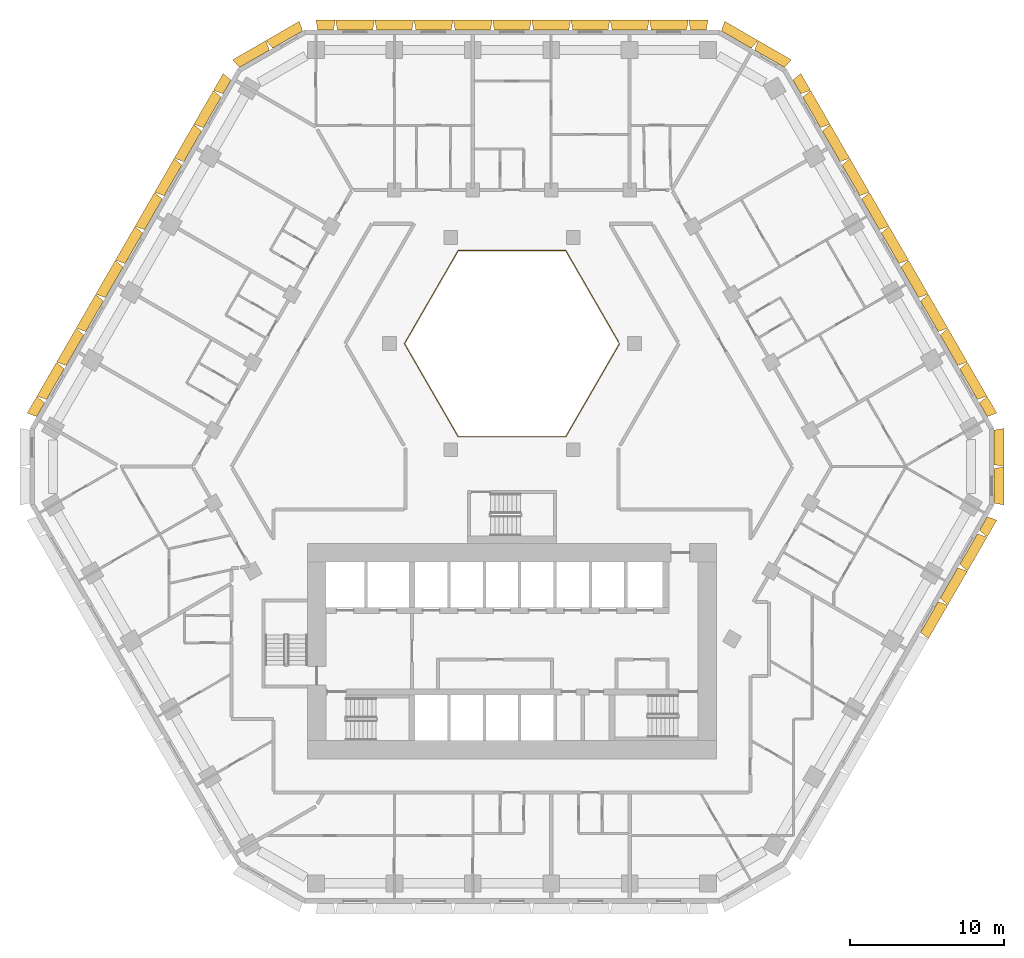
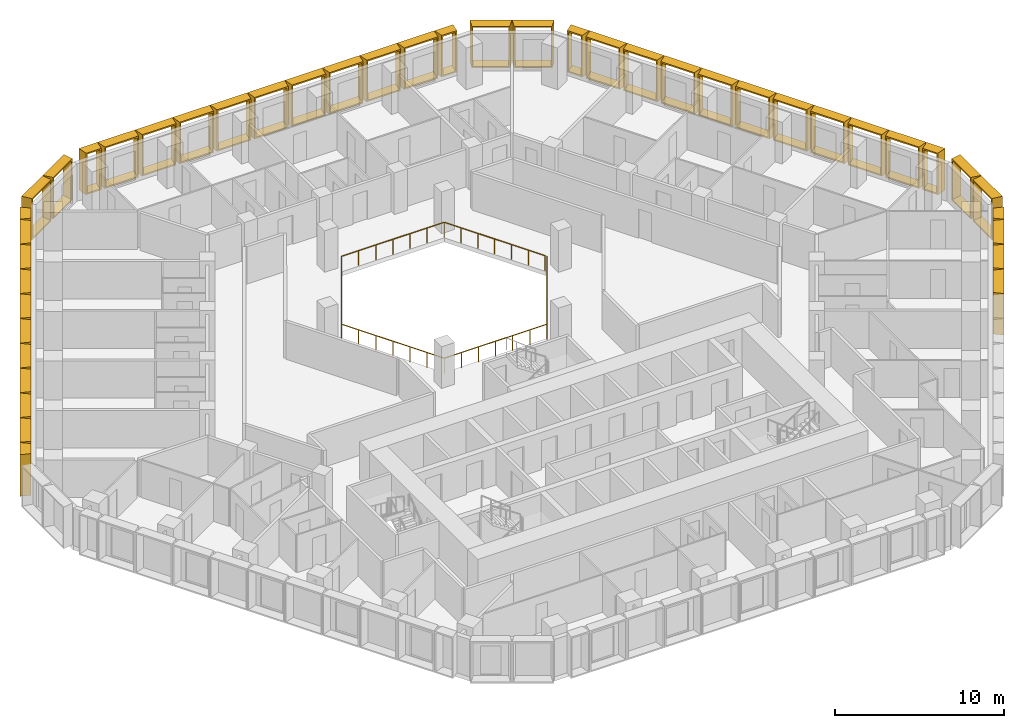
# One storey, part 16 of 16: 43 shading devices, 1 railing.
"""IFC4 building model written with IfcOpenShell, lengths in metres."""

from ifc_helpers import new_model, entity, si_unit, direction, frame, origin, origin_2d, place, context, subcontext, project, spatial, rectangle, extrude, source, transform, mapped, material, type_object, type_shapes, element, save


model = new_model("IFC4")

# Units and contexts
model_context = context("Model", 3, precision=1e-05, world=origin(), true_north=direction((0.0, 1.0)))
body_context = subcontext(model_context, "Body", "Model", "MODEL_VIEW")
ifc_project = project(units=[si_unit("LENGTHUNIT", "METRE"), si_unit("AREAUNIT", "SQUARE_METRE"), si_unit("VOLUMEUNIT", "CUBIC_METRE"), si_unit("PLANEANGLEUNIT", "RADIAN"), si_unit("MASSUNIT", "GRAM", prefix="KILO")], contexts=[model_context])

# Site, building, storey
site_placement = place(None, origin())
site = spatial("IfcSite", under=ifc_project, at=site_placement, CompositionType="ELEMENT")
building_placement = place(site_placement, origin())
building = spatial("IfcBuilding", under=site, at=building_placement, Name="Beryl Residences", CompositionType="ELEMENT")
storey_placement = place(building_placement, frame((0.0, 0.0, 26.39990234375)))
storey = spatial("IfcBuildingStorey", under=building, at=storey_placement, Name="L07", CompositionType="ELEMENT", Elevation=26.39990234375)

# Railing
ifc_material_1 = material(Name="Stainless steel balustrade with glass infill", Category="steel")
railing_type = type_object("IfcRailingType", Name="EG1 edge guard 1100 mm", PredefinedType="GUARDRAIL", material=ifc_material_1)
railing_placement = place(storey_placement, frame((6.9970703125, 8.0, 0.0)))
element("IfcRailing", 1, at=railing_placement, inside=storey, type_object=railing_type, Name="L07 atrium guard", PredefinedType="GUARDRAIL", context=body_context, shape_type="SweptSolid", body=[
    extrude(rectangle(XDim=0.048095703125, YDim=0.048095703125, at=origin_2d()), frame((0.0, 0.0, 1.076171875), z_axis=(-0.499921796684, -0.866070549782, 0.0), x_axis=(0.866070549782, -0.499921796684, 0.0)), (0.0, 0.0, 1.0), 6.9970703125),
    extrude(rectangle(XDim=0.048095703125, YDim=0.048095703125, at=origin_2d()), frame((-3.498046875, -6.06005859375, 1.076171875), z_axis=(-1.0, 0.0, 0.0), x_axis=(0.0, -1.0, 0.0)), (0.0, 0.0, 1.0), 6.998046875),
    extrude(rectangle(XDim=0.048095703125, YDim=0.048095703125, at=origin_2d()), frame((-10.49609375, -6.06005859375, 1.076171875), z_axis=(-0.499921796684, 0.866070549782, 0.0), x_axis=(-0.866070549782, -0.499921796684, 0.0)), (0.0, 0.0, 1.0), 6.9970703125),
    extrude(rectangle(XDim=0.048095703125, YDim=0.048095703125, at=origin_2d()), frame((-13.994140625, 0.0, 1.076171875), z_axis=(0.499921796684, 0.866070549782, 0.0), x_axis=(-0.866070549782, 0.499921796684, 0.0)), (0.0, 0.0, 1.0), 6.9970703125),
    extrude(rectangle(XDim=0.048095703125, YDim=0.048095703125, at=origin_2d()), frame((-10.49609375, 6.06005859375, 1.076171875), z_axis=(1.0, 0.0, 0.0), x_axis=(0.0, 1.0, 0.0)), (0.0, 0.0, 1.0), 6.998046875),
    extrude(rectangle(XDim=0.048095703125, YDim=0.048095703125, at=origin_2d()), frame((-3.498046875, 6.06005859375, 1.076171875), z_axis=(0.499919131929, -0.866072087953, 0.0), x_axis=(0.866072087953, 0.499919131929, 0.0)), (0.0, 0.0, 1.0), 6.877197265625),
    extrude(rectangle(XDim=0.0419921875, YDim=0.0419921875, at=origin_2d()), origin(), (0.0, 0.0, 1.0), 1.052001953125),
    extrude(rectangle(XDim=0.0419921875, YDim=0.0419921875, at=origin_2d()), frame((-0.5830078125, -1.010009765625, 0.0)), (0.0, 0.0, 1.0), 1.052001953125),
    extrude(rectangle(XDim=0.0419921875, YDim=0.0419921875, at=origin_2d()), frame((-1.166015625, -2.02001953125, 0.0)), (0.0, 0.0, 1.0), 1.052001953125),
    extrude(rectangle(XDim=0.0419921875, YDim=0.0419921875, at=origin_2d()), frame((-1.7490234375, -3.030029296875, 0.0)), (0.0, 0.0, 1.0), 1.052001953125),
    extrude(rectangle(XDim=0.0419921875, YDim=0.0419921875, at=origin_2d()), frame((-2.33203125, -4.0400390625, 0.0)), (0.0, 0.0, 1.0), 1.052001953125),
    extrude(rectangle(XDim=0.0419921875, YDim=0.0419921875, at=origin_2d()), frame((-2.9150390625, -5.050048828125, 0.0)), (0.0, 0.0, 1.0), 1.052001953125),
    extrude(rectangle(XDim=0.0419921875, YDim=0.0419921875, at=origin_2d()), frame((-3.498046875, -6.06005859375, 0.0)), (0.0, 0.0, 1.0), 1.052001953125),
    extrude(rectangle(XDim=0.0419921875, YDim=0.0419921875, at=origin_2d()), frame((-4.664306640625, -6.06005859375, 0.0)), (0.0, 0.0, 1.0), 1.052001953125),
    extrude(rectangle(XDim=0.0419921875, YDim=0.0419921875, at=origin_2d()), frame((-5.830810546875, -6.06005859375, 0.0)), (0.0, 0.0, 1.0), 1.052001953125),
    extrude(rectangle(XDim=0.0419921875, YDim=0.0419921875, at=origin_2d()), frame((-6.9970703125, -6.06005859375, 0.0)), (0.0, 0.0, 1.0), 1.052001953125),
    extrude(rectangle(XDim=0.0419921875, YDim=0.0419921875, at=origin_2d()), frame((-8.163330078125, -6.06005859375, 0.0)), (0.0, 0.0, 1.0), 1.052001953125),
    extrude(rectangle(XDim=0.0419921875, YDim=0.0419921875, at=origin_2d()), frame((-9.329833984375, -6.06005859375, 0.0)), (0.0, 0.0, 1.0), 1.052001953125),
    extrude(rectangle(XDim=0.0419921875, YDim=0.0419921875, at=origin_2d()), frame((-10.49609375, -6.06005859375, 0.0)), (0.0, 0.0, 1.0), 1.052001953125),
    extrude(rectangle(XDim=0.0419921875, YDim=0.0419921875, at=origin_2d()), frame((-11.0791015625, -5.050048828125, 0.0)), (0.0, 0.0, 1.0), 1.052001953125),
    extrude(rectangle(XDim=0.0419921875, YDim=0.0419921875, at=origin_2d()), frame((-11.662109375, -4.0400390625, 0.0)), (0.0, 0.0, 1.0), 1.052001953125),
    extrude(rectangle(XDim=0.0419921875, YDim=0.0419921875, at=origin_2d()), frame((-12.2451171875, -3.030029296875, 0.0)), (0.0, 0.0, 1.0), 1.052001953125),
    extrude(rectangle(XDim=0.0419921875, YDim=0.0419921875, at=origin_2d()), frame((-12.828125, -2.02001953125, 0.0)), (0.0, 0.0, 1.0), 1.052001953125),
    extrude(rectangle(XDim=0.0419921875, YDim=0.0419921875, at=origin_2d()), frame((-13.4111328125, -1.010009765625, 0.0)), (0.0, 0.0, 1.0), 1.052001953125),
    extrude(rectangle(XDim=0.0419921875, YDim=0.0419921875, at=origin_2d()), frame((-13.994140625, 0.0, 0.0)), (0.0, 0.0, 1.0), 1.052001953125),
    extrude(rectangle(XDim=0.0419921875, YDim=0.0419921875, at=origin_2d()), frame((-13.4111328125, 1.010009765625, 0.0)), (0.0, 0.0, 1.0), 1.052001953125),
    extrude(rectangle(XDim=0.0419921875, YDim=0.0419921875, at=origin_2d()), frame((-12.828125, 2.02001953125, 0.0)), (0.0, 0.0, 1.0), 1.052001953125),
    extrude(rectangle(XDim=0.0419921875, YDim=0.0419921875, at=origin_2d()), frame((-12.2451171875, 3.030029296875, 0.0)), (0.0, 0.0, 1.0), 1.052001953125),
    extrude(rectangle(XDim=0.0419921875, YDim=0.0419921875, at=origin_2d()), frame((-11.662109375, 4.0400390625, 0.0)), (0.0, 0.0, 1.0), 1.052001953125),
    extrude(rectangle(XDim=0.0419921875, YDim=0.0419921875, at=origin_2d()), frame((-11.0791015625, 5.050048828125, 0.0)), (0.0, 0.0, 1.0), 1.052001953125),
    extrude(rectangle(XDim=0.0419921875, YDim=0.0419921875, at=origin_2d()), frame((-10.49609375, 6.06005859375, 0.0)), (0.0, 0.0, 1.0), 1.052001953125),
    extrude(rectangle(XDim=0.0419921875, YDim=0.0419921875, at=origin_2d()), frame((-9.329833984375, 6.06005859375, 0.0)), (0.0, 0.0, 1.0), 1.052001953125),
    extrude(rectangle(XDim=0.0419921875, YDim=0.0419921875, at=origin_2d()), frame((-8.163330078125, 6.06005859375, 0.0)), (0.0, 0.0, 1.0), 1.052001953125),
    extrude(rectangle(XDim=0.0419921875, YDim=0.0419921875, at=origin_2d()), frame((-6.9970703125, 6.06005859375, 0.0)), (0.0, 0.0, 1.0), 1.052001953125),
    extrude(rectangle(XDim=0.0419921875, YDim=0.0419921875, at=origin_2d()), frame((-5.830810546875, 6.06005859375, 0.0)), (0.0, 0.0, 1.0), 1.052001953125),
    extrude(rectangle(XDim=0.0419921875, YDim=0.0419921875, at=origin_2d()), frame((-4.664306640625, 6.06005859375, 0.0)), (0.0, 0.0, 1.0), 1.052001953125),
    extrude(rectangle(XDim=0.0419921875, YDim=0.0419921875, at=origin_2d()), frame((-3.498046875, 6.06005859375, 0.0)), (0.0, 0.0, 1.0), 1.052001953125),
    extrude(rectangle(XDim=0.0419921875, YDim=0.0419921875, at=origin_2d()), frame((-2.925048828125, 5.0673828125, 0.0)), (0.0, 0.0, 1.0), 1.052001953125),
    extrude(rectangle(XDim=0.0419921875, YDim=0.0419921875, at=origin_2d()), frame((-2.35205078125, 4.07470703125, 0.0)), (0.0, 0.0, 1.0), 1.052001953125),
    extrude(rectangle(XDim=0.0419921875, YDim=0.0419921875, at=origin_2d()), frame((-1.779052734375, 3.08203125, 0.0)), (0.0, 0.0, 1.0), 1.052001953125),
    extrude(rectangle(XDim=0.0419921875, YDim=0.0419921875, at=origin_2d()), frame((-1.2060546875, 2.08935546875, 0.0)), (0.0, 0.0, 1.0), 1.052001953125),
    extrude(rectangle(XDim=0.0419921875, YDim=0.0419921875, at=origin_2d()), frame((-0.633056640625, 1.0966796875, 0.0)), (0.0, 0.0, 1.0), 1.052001953125),
    extrude(rectangle(XDim=0.0419921875, YDim=0.0419921875, at=origin_2d()), frame((-0.06005859375, 0.10400390625, 0.0)), (0.0, 0.0, 1.0), 1.052001953125),
])

# Shading devices
ifc_material_2 = material(Name="Aluminium pale anodised", Category="aluminium")
shading_device_type_1 = type_object("IfcShadingDeviceType", Name="FR128-65A OUTER SKIN frame 650 mm deep, splay 10/10 deg, 1280 x 3000 mm cell", PredefinedType="USERDEFINED", material=ifc_material_2)
cartesian_point_1 = entity("IfcCartesianPoint", [-0.514892578125, 0.0])
cartesian_point_2 = entity("IfcCartesianPoint", [-0.433837890625, 0.10009765625])
cartesian_point_3 = entity("IfcCartesianPoint", [-0.629638671875, 0.0])
cartesian_point_4 = entity("IfcCartesianPoint", [-0.54833984375, 0.10009765625])
shared_shape_1 = source(origin(), body_context, "Body", "SweptSolid", [
    entity("IfcExtrudedAreaSolidTapered", entity("IfcArbitraryProfileDefWithVoids", "AREA", None, entity("IfcPolyline", [cartesian_point_1, entity("IfcCartesianPoint", [0.514892578125, 0.0]), entity("IfcCartesianPoint", [0.514892578125, 3.0]), entity("IfcCartesianPoint", [-0.514892578125, 3.0]), cartesian_point_1]), [entity("IfcPolyline", [cartesian_point_2, entity("IfcCartesianPoint", [0.433837890625, 0.10009765625]), entity("IfcCartesianPoint", [0.433837890625, 2.89990234375]), entity("IfcCartesianPoint", [-0.433837890625, 2.89990234375]), cartesian_point_2])]), entity("IfcAxis2Placement3D", entity("IfcCartesianPoint", [0.0, 0.0, 0.0]), entity("IfcDirection", [0.0, 1.0, 0.0]), entity("IfcDirection", [-1.0, 0.0, 0.0])), entity("IfcDirection", [0.0, 0.0, 1.0]), 0.64990234375, entity("IfcArbitraryProfileDefWithVoids", "AREA", None, entity("IfcPolyline", [cartesian_point_3, entity("IfcCartesianPoint", [0.629638671875, 0.0]), entity("IfcCartesianPoint", [0.629638671875, 3.0]), entity("IfcCartesianPoint", [-0.629638671875, 3.0]), cartesian_point_3]), [entity("IfcPolyline", [cartesian_point_4, entity("IfcCartesianPoint", [0.54833984375, 0.10009765625]), entity("IfcCartesianPoint", [0.54833984375, 2.89990234375]), entity("IfcCartesianPoint", [-0.54833984375, 2.89990234375]), cartesian_point_4])])),
])
type_shapes(shading_device_type_1, [shared_shape_1])
for number, where, z_axis, x_axis, name in (
    (2, (12.12109375, 28.39990234375, 0.0), (0.0, 0.0, 1.0), (1.0, 0.0, 0.0), "FR128-65A frame L07 N 1"),
    (3, (-12.123046875, 28.39990234375, 0.0), (0.0, 0.0, 1.0), (1.0, 0.0, 0.0), "FR128-65A frame L07 N 11"),
    (4, (-18.534912109375, 24.697021484375, 0.0), (0.0, 0.0, 1.0), (0.5, 0.866025403784, 0.0), "FR128-65A frame L07 NW 1"),
    (5, (-30.656005859375, 3.700927734375, 0.0), (0.0, 0.0, 1.0), (0.5, 0.866025403784, 0.0), "FR128-65A frame L07 NW 11"),
    (6, (30.656005859375, -3.700927734375, 0.0), (0.0, 0.0, 1.0), (-0.5, -0.866025403784, 0.0), "FR128-65A frame L07 SE 11"),
    (7, (30.655029296875, 3.702880859375, 0.0), (0.0, 0.0, 1.0), (0.5, -0.866025403784, 0.0), "FR128-65A frame L07 NE 1"),
    (8, (18.533935546875, 24.698974609375, 0.0), (0.0, 0.0, 1.0), (0.5, -0.866025403784, 0.0), "FR128-65A frame L07 NE 11"),
):
    element("IfcShadingDevice", number, at=place(storey_placement, frame(where, z_axis=z_axis, x_axis=x_axis)), inside=storey, type_object=shading_device_type_1, Name=name, ObjectType="OUTER SKIN", PredefinedType="USERDEFINED", context=body_context, shape_type="MappedRepresentation", body=[
        mapped(shared_shape_1, transform((0.0, 0.0, 0.0))),
    ])
ifc_material_3 = material(Name="Aluminium pale anodised", Category="aluminium")
shading_device_type_2 = type_object("IfcShadingDeviceType", Name="FR250-65A OUTER SKIN frame 650 mm deep, splay 10/10 deg, 2500 x 3000 mm cell", PredefinedType="USERDEFINED", material=ifc_material_3)
cartesian_point_5 = entity("IfcCartesianPoint", [-1.125, 0.0])
cartesian_point_6 = entity("IfcCartesianPoint", [-1.043701171875, 0.10009765625])
cartesian_point_7 = entity("IfcCartesianPoint", [-1.239501953125, 0.0])
cartesian_point_8 = entity("IfcCartesianPoint", [-1.158447265625, 0.10009765625])
shared_shape_2 = source(origin(), body_context, "Body", "SweptSolid", [
    entity("IfcExtrudedAreaSolidTapered", entity("IfcArbitraryProfileDefWithVoids", "AREA", None, entity("IfcPolyline", [cartesian_point_5, entity("IfcCartesianPoint", [1.125, 0.0]), entity("IfcCartesianPoint", [1.125, 3.0]), entity("IfcCartesianPoint", [-1.125, 3.0]), cartesian_point_5]), [entity("IfcPolyline", [cartesian_point_6, entity("IfcCartesianPoint", [1.043701171875, 0.10009765625]), entity("IfcCartesianPoint", [1.043701171875, 2.89990234375]), entity("IfcCartesianPoint", [-1.043701171875, 2.89990234375]), cartesian_point_6])]), entity("IfcAxis2Placement3D", entity("IfcCartesianPoint", [0.0, 0.0, 0.0]), entity("IfcDirection", [0.0, 1.0, 0.0]), entity("IfcDirection", [-1.0, 0.0, 0.0])), entity("IfcDirection", [0.0, 0.0, 1.0]), 0.64990234375, entity("IfcArbitraryProfileDefWithVoids", "AREA", None, entity("IfcPolyline", [cartesian_point_7, entity("IfcCartesianPoint", [1.239501953125, 0.0]), entity("IfcCartesianPoint", [1.239501953125, 3.0]), entity("IfcCartesianPoint", [-1.239501953125, 3.0]), cartesian_point_7]), [entity("IfcPolyline", [cartesian_point_8, entity("IfcCartesianPoint", [1.158447265625, 0.10009765625]), entity("IfcCartesianPoint", [1.158447265625, 2.89990234375]), entity("IfcCartesianPoint", [-1.158447265625, 2.89990234375]), cartesian_point_8])])),
])
type_shapes(shading_device_type_2, [shared_shape_2])
for number, where, z_axis, x_axis, name in (
    (9, (-14.593017578125, 27.77490234375, 0.0), (0.0, 0.0, 1.0), (0.866025403784, 0.5, 0.0), "FR250-65A frame L07 N-NW 1"),
    (10, (-16.758056640625, 26.52490234375, 0.0), (0.0, 0.0, 1.0), (0.866025403784, 0.5, 0.0), "FR250-65A frame L07 N-NW 2"),
    (11, (31.35009765625, -1.25, 0.0), (0.0, 0.0, 1.0), (0.0, -1.0, 0.0), "FR250-65A frame L07 SE-NE 1"),
    (12, (31.35009765625, 1.25, 0.0), (0.0, 0.0, 1.0), (0.0, -1.0, 0.0), "FR250-65A frame L07 SE-NE 2"),
    (13, (16.758056640625, 26.52490234375, 0.0), (0.0, 0.0, 1.0), (0.866025403784, -0.5, 0.0), "FR250-65A frame L07 NE-N 1"),
    (14, (14.593017578125, 27.77490234375, 0.0), (0.0, 0.0, 1.0), (0.866025403784, -0.5, 0.0), "FR250-65A frame L07 NE-N 2"),
):
    element("IfcShadingDevice", number, at=place(storey_placement, frame(where, z_axis=z_axis, x_axis=x_axis)), inside=storey, type_object=shading_device_type_2, Name=name, ObjectType="OUTER SKIN", PredefinedType="USERDEFINED", context=body_context, shape_type="MappedRepresentation", body=[
        mapped(shared_shape_2, transform((0.0, 0.0, 0.0))),
    ])
ifc_material_4 = material(Name="Aluminium pale anodised", Category="aluminium")
shading_device_type_3 = type_object("IfcShadingDeviceType", Name="FR255-65A OUTER SKIN frame 650 mm deep, splay 10/10 deg, 2550 x 3000 mm cell", PredefinedType="USERDEFINED", material=ifc_material_4)
cartesian_point_9 = entity("IfcCartesianPoint", [-1.14990234375, 0.0])
cartesian_point_10 = entity("IfcCartesianPoint", [-1.06884765625, 0.10009765625])
cartesian_point_11 = entity("IfcCartesianPoint", [-1.2646484375, 0.0])
cartesian_point_12 = entity("IfcCartesianPoint", [-1.183349609375, 0.10009765625])
shared_shape_3 = source(origin(), body_context, "Body", "SweptSolid", [
    entity("IfcExtrudedAreaSolidTapered", entity("IfcArbitraryProfileDefWithVoids", "AREA", None, entity("IfcPolyline", [cartesian_point_9, entity("IfcCartesianPoint", [1.14990234375, 0.0]), entity("IfcCartesianPoint", [1.14990234375, 3.0]), entity("IfcCartesianPoint", [-1.14990234375, 3.0]), cartesian_point_9]), [entity("IfcPolyline", [cartesian_point_10, entity("IfcCartesianPoint", [1.06884765625, 0.10009765625]), entity("IfcCartesianPoint", [1.06884765625, 2.89990234375]), entity("IfcCartesianPoint", [-1.06884765625, 2.89990234375]), cartesian_point_10])]), entity("IfcAxis2Placement3D", entity("IfcCartesianPoint", [0.0, 0.0, 0.0]), entity("IfcDirection", [0.0, 1.0, 0.0]), entity("IfcDirection", [-1.0, 0.0, 0.0])), entity("IfcDirection", [0.0, 0.0, 1.0]), 0.64990234375, entity("IfcArbitraryProfileDefWithVoids", "AREA", None, entity("IfcPolyline", [cartesian_point_11, entity("IfcCartesianPoint", [1.2646484375, 0.0]), entity("IfcCartesianPoint", [1.2646484375, 3.0]), entity("IfcCartesianPoint", [-1.2646484375, 3.0]), cartesian_point_11]), [entity("IfcPolyline", [cartesian_point_12, entity("IfcCartesianPoint", [1.183349609375, 0.10009765625]), entity("IfcCartesianPoint", [1.183349609375, 2.89990234375]), entity("IfcCartesianPoint", [-1.183349609375, 2.89990234375]), cartesian_point_12])])),
])
type_shapes(shading_device_type_3, [shared_shape_3])
for number, where, z_axis, x_axis, name in (
    (15, (10.20703125, 28.39990234375, 0.0), (0.0, 0.0, 1.0), (1.0, 0.0, 0.0), "FR255-65A frame L07 N 2"),
    (16, (7.655029296875, 28.39990234375, 0.0), (0.0, 0.0, 1.0), (1.0, 0.0, 0.0), "FR255-65A frame L07 N 3"),
    (17, (5.10302734375, 28.39990234375, 0.0), (0.0, 0.0, 1.0), (1.0, 0.0, 0.0), "FR255-65A frame L07 N 4"),
    (18, (2.551025390625, 28.39990234375, 0.0), (0.0, 0.0, 1.0), (1.0, 0.0, 0.0), "FR255-65A frame L07 N 5"),
    (19, (-0.0009765625, 28.39990234375, 0.0), (0.0, 0.0, 1.0), (1.0, 0.0, 0.0), "FR255-65A frame L07 N 6"),
    (20, (-2.552978515625, 28.39990234375, 0.0), (0.0, 0.0, 1.0), (1.0, 0.0, 0.0), "FR255-65A frame L07 N 7"),
    (21, (-5.10498046875, 28.39990234375, 0.0), (0.0, 0.0, 1.0), (1.0, 0.0, 0.0), "FR255-65A frame L07 N 8"),
    (22, (-7.656982421875, 28.39990234375, 0.0), (0.0, 0.0, 1.0), (1.0, 0.0, 0.0), "FR255-65A frame L07 N 9"),
    (23, (-10.208984375, 28.39990234375, 0.0), (0.0, 0.0, 1.0), (1.0, 0.0, 0.0), "FR255-65A frame L07 N 10"),
    (24, (-19.491943359375, 23.0400390625, 0.0), (0.0, 0.0, 1.0), (0.5, 0.866025403784, 0.0), "FR255-65A frame L07 NW 2"),
    (25, (-20.76806640625, 20.830078125, 0.0), (0.0, 0.0, 1.0), (0.5, 0.866025403784, 0.0), "FR255-65A frame L07 NW 3"),
    (26, (-22.0439453125, 18.618896484375, 0.0), (0.0, 0.0, 1.0), (0.5, 0.866025403784, 0.0), "FR255-65A frame L07 NW 4"),
    (27, (-23.320068359375, 16.408935546875, 0.0), (0.0, 0.0, 1.0), (0.5, 0.866025403784, 0.0), "FR255-65A frame L07 NW 5"),
    (28, (-24.594970703125, 14.198974609375, 0.0), (0.0, 0.0, 1.0), (0.5, 0.866025403784, 0.0), "FR255-65A frame L07 NW 6"),
    (29, (-25.87109375, 11.989013671875, 0.0), (0.0, 0.0, 1.0), (0.5, 0.866025403784, 0.0), "FR255-65A frame L07 NW 7"),
    (30, (-27.14697265625, 9.779052734375, 0.0), (0.0, 0.0, 1.0), (0.5, 0.866025403784, 0.0), "FR255-65A frame L07 NW 8"),
    (31, (-28.423095703125, 7.569091796875, 0.0), (0.0, 0.0, 1.0), (0.5, 0.866025403784, 0.0), "FR255-65A frame L07 NW 9"),
    (32, (-29.698974609375, 5.35888671875, 0.0), (0.0, 0.0, 1.0), (0.5, 0.866025403784, 0.0), "FR255-65A frame L07 NW 10"),
    (33, (27.14697265625, -9.779052734375, 0.0), (0.0, 0.0, 1.0), (-0.5, -0.866025403784, 0.0), "FR255-65A frame L07 SE 8"),
    (34, (28.423095703125, -7.569091796875, 0.0), (0.0, 0.0, 1.0), (-0.5, -0.866025403784, 0.0), "FR255-65A frame L07 SE 9"),
    (35, (29.698974609375, -5.35888671875, 0.0), (0.0, 0.0, 1.0), (-0.5, -0.866025403784, 0.0), "FR255-65A frame L07 SE 10"),
    (36, (29.697998046875, 5.360107421875, 0.0), (0.0, 0.0, 1.0), (0.5, -0.866025403784, 0.0), "FR255-65A frame L07 NE 2"),
    (37, (28.422119140625, 7.570068359375, 0.0), (0.0, 0.0, 1.0), (0.5, -0.866025403784, 0.0), "FR255-65A frame L07 NE 3"),
    (38, (27.14599609375, 9.781005859375, 0.0), (0.0, 0.0, 1.0), (0.5, -0.866025403784, 0.0), "FR255-65A frame L07 NE 4"),
    (39, (25.8701171875, 11.990966796875, 0.0), (0.0, 0.0, 1.0), (0.5, -0.866025403784, 0.0), "FR255-65A frame L07 NE 5"),
    (40, (24.594970703125, 14.200927734375, 0.0), (0.0, 0.0, 1.0), (0.5, -0.866025403784, 0.0), "FR255-65A frame L07 NE 6"),
    (41, (23.319091796875, 16.410888671875, 0.0), (0.0, 0.0, 1.0), (0.5, -0.866025403784, 0.0), "FR255-65A frame L07 NE 7"),
    (42, (22.04296875, 18.62109375, 0.0), (0.0, 0.0, 1.0), (0.5, -0.866025403784, 0.0), "FR255-65A frame L07 NE 8"),
    (43, (20.76708984375, 20.8310546875, 0.0), (0.0, 0.0, 1.0), (0.5, -0.866025403784, 0.0), "FR255-65A frame L07 NE 9"),
    (44, (19.490966796875, 23.041015625, 0.0), (0.0, 0.0, 1.0), (0.5, -0.866025403784, 0.0), "FR255-65A frame L07 NE 10"),
):
    element("IfcShadingDevice", number, at=place(storey_placement, frame(where, z_axis=z_axis, x_axis=x_axis)), inside=storey, type_object=shading_device_type_3, Name=name, ObjectType="OUTER SKIN", PredefinedType="USERDEFINED", context=body_context, shape_type="MappedRepresentation", body=[
        mapped(shared_shape_3, transform((0.0, 0.0, 0.0))),
    ])

save(model, "model.ifc")
